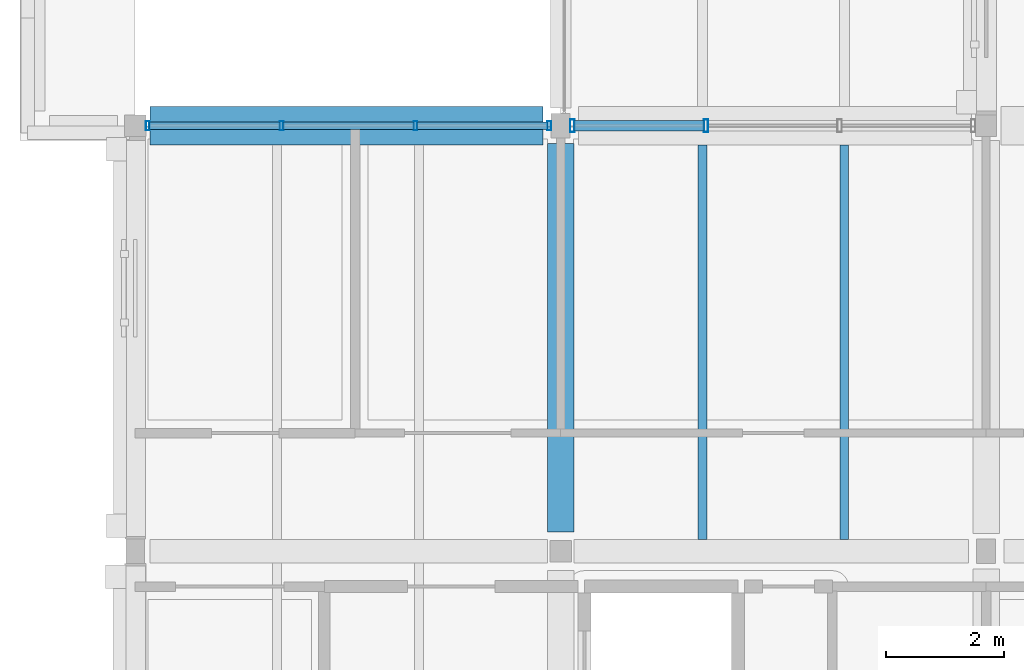
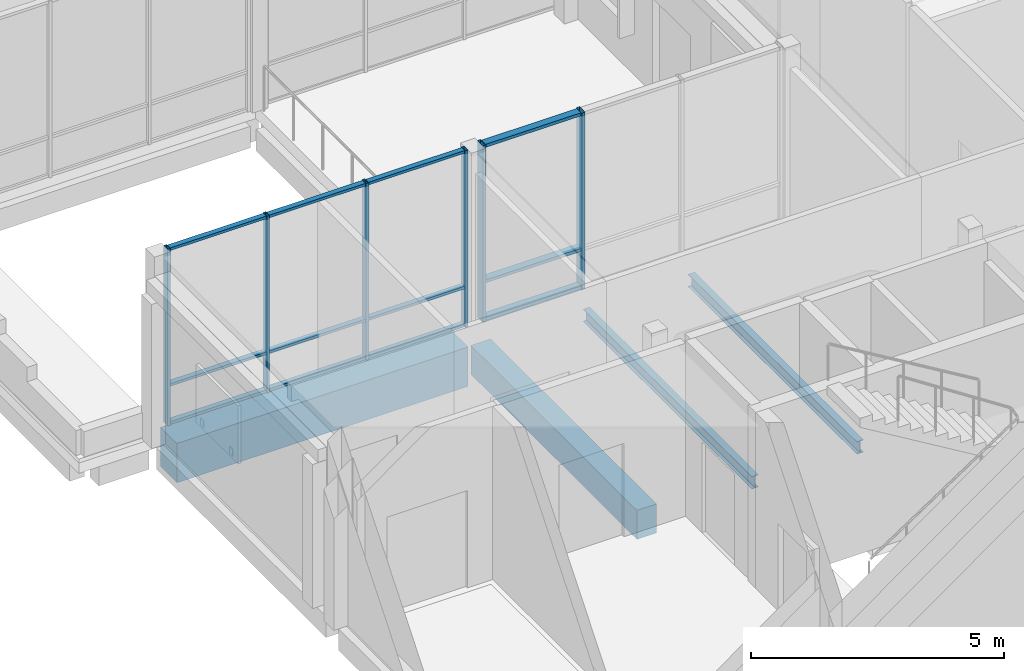
# One storey, part 16 of 146: 18 members, 4 beams, 2 elements without a shape of their own.
"""IFC4 building model written with IfcOpenShell, lengths in metres."""

from ifc_helpers import new_model, si_unit, direction, frame, origin, origin_2d, place, context, subcontext, project, spatial, rectangle, hollow_rectangle, i_section, extrude, material, material_profile, profile_set, type_object, element, aggregate, save


model = new_model("IFC4")

# Units and contexts
model_context = context("Model", 3, precision=1e-05, world=origin(), true_north=direction((0.0, 1.0)))
body_context = subcontext(model_context, "Body", "Model", "MODEL_VIEW")
ifc_project = project(units=[si_unit("LENGTHUNIT", "METRE"), si_unit("AREAUNIT", "SQUARE_METRE"), si_unit("VOLUMEUNIT", "CUBIC_METRE"), si_unit("PLANEANGLEUNIT", "RADIAN"), si_unit("MASSUNIT", "GRAM", prefix="KILO")], contexts=[model_context])

# Site, building, storey
site_placement = place(None, origin())
site = spatial("IfcSite", under=ifc_project, at=site_placement, CompositionType="ELEMENT")
building_placement = place(site_placement, origin())
building = spatial("IfcBuilding", under=site, at=building_placement, Name="Hawrajan Terrace Health Centre", CompositionType="ELEMENT")
storey_placement = place(building_placement, frame((0.0, 0.0, 4.5)))
storey = spatial("IfcBuildingStorey", under=building, at=storey_placement, Name="L01", CompositionType="ELEMENT", Elevation=4.5)

# Curtain wall, members
ifc_material_1 = material(Name="Anodized bronze aluminium and low-E solar glazing", Category="aluminium")
curtain_wall_type_1 = type_object("IfcCurtainWallType", Name="CW_Court_SeriesA3", PredefinedType="USERDEFINED", material=ifc_material_1)
curtain_wall_1_placement = place(storey_placement, origin())
curtain_wall_1 = element("IfcCurtainWall", 1, at=curtain_wall_1_placement, inside=storey, type_object=curtain_wall_type_1, Name="Curtain wall CW-L01-051", ObjectType="UNITISED CURTAIN WALL", PredefinedType="USERDEFINED")
ifc_material_2 = material(Name="Anodized bronze aluminium 6063-T6", Category="aluminium")
ifc_material_profile_1 = material_profile(ifc_material_2, hollow_rectangle(XDim=0.06494140625, YDim=0.159912109375, WallThickness=0.00390625, at=origin_2d()), Name="CW MUL 65x160")
ifc_profile_set_1 = profile_set([ifc_material_profile_1], Name="Anodized bronze aluminium 6063-T6")
member_type_1 = type_object("IfcMemberType", Name="CWMullion_65x160", PredefinedType="MULLION", material=ifc_profile_set_1)
member_1_placement = place(storey_placement, frame((4.8125, 18.60009765625, -0.0048828125), z_axis=(0.0, 0.0, 1.0), x_axis=(1.0, 0.0, 0.0)))
member_1 = element("IfcMember", 2, at=member_1_placement, type_object=member_type_1, Name="Mullion CW-L01-051-M1", PredefinedType="MULLION", context=body_context, shape_type="SweptSolid", body=[
    extrude(hollow_rectangle(XDim=0.06494140625, YDim=0.159912109375, WallThickness=0.00390625, at=origin_2d()), origin(), (0.0, 0.0, 1.0), 4.269775390625),
])
member_2_placement = place(storey_placement, frame((7.077392578125, 18.60009765625, -0.0048828125), z_axis=(0.0, 0.0, 1.0), x_axis=(1.0, 0.0, 0.0)))
member_2 = element("IfcMember", 3, at=member_2_placement, type_object=member_type_1, Name="Mullion CW-L01-051-M2", PredefinedType="MULLION", context=body_context, shape_type="SweptSolid", body=[
    extrude(hollow_rectangle(XDim=0.06494140625, YDim=0.159912109375, WallThickness=0.00390625, at=origin_2d()), origin(), (0.0, 0.0, 1.0), 4.269775390625),
])
member_3_placement = place(storey_placement, frame((9.342529296875, 18.60009765625, -0.0048828125), z_axis=(0.0, 0.0, 1.0), x_axis=(1.0, 0.0, 0.0)))
member_3 = element("IfcMember", 4, at=member_3_placement, type_object=member_type_1, Name="Mullion CW-L01-051-M3", PredefinedType="MULLION", context=body_context, shape_type="SweptSolid", body=[
    extrude(hollow_rectangle(XDim=0.06494140625, YDim=0.159912109375, WallThickness=0.00390625, at=origin_2d()), origin(), (0.0, 0.0, 1.0), 4.269775390625),
])
member_4_placement = place(storey_placement, frame((11.607421875, 18.60009765625, -0.0048828125), z_axis=(0.0, 0.0, 1.0), x_axis=(1.0, 0.0, 0.0)))
member_4 = element("IfcMember", 5, at=member_4_placement, type_object=member_type_1, Name="Mullion CW-L01-051-M4", PredefinedType="MULLION", context=body_context, shape_type="SweptSolid", body=[
    extrude(hollow_rectangle(XDim=0.06494140625, YDim=0.159912109375, WallThickness=0.00390625, at=origin_2d()), origin(), (0.0, 0.0, 1.0), 4.269775390625),
])

curtain_wall_type_2 = type_object("IfcCurtainWallType", Name="CW_Court_SeriesB2", PredefinedType="USERDEFINED", material=ifc_material_1)
curtain_wall_2_placement = place(storey_placement, origin())
curtain_wall_2 = element("IfcCurtainWall", 6, at=curtain_wall_2_placement, inside=storey, type_object=curtain_wall_type_2, Name="Curtain wall CW-L01-053", ObjectType="UNITISED CURTAIN WALL", PredefinedType="USERDEFINED")
ifc_material_profile_2 = material_profile(ifc_material_2, hollow_rectangle(XDim=0.074951171875, YDim=0.219970703125, WallThickness=0.0048828125, at=origin_2d()), Name="CW MUL 75x220")
ifc_profile_set_2 = profile_set([ifc_material_profile_2], Name="Anodized bronze aluminium 6063-T6")
member_type_2 = type_object("IfcMemberType", Name="CWMullion_75x220", PredefinedType="MULLION", material=ifc_profile_set_2)
member_5_placement = place(storey_placement, frame((11.99755859375, 18.60009765625, -0.0048828125), z_axis=(0.0, 0.0, 1.0), x_axis=(1.0, 0.0, 0.0)))
member_5 = element("IfcMember", 7, at=member_5_placement, type_object=member_type_2, Name="Mullion CW-L01-053-M1", PredefinedType="MULLION", context=body_context, shape_type="SweptSolid", body=[
    extrude(hollow_rectangle(XDim=0.074951171875, YDim=0.219970703125, WallThickness=0.0048828125, at=origin_2d()), origin(), (0.0, 0.0, 1.0), 4.269775390625),
])
member_6_placement = place(storey_placement, frame((14.25927734375, 18.60009765625, -0.0048828125), z_axis=(0.0, 0.0, 1.0), x_axis=(1.0, 0.0, 0.0)))
member_6 = element("IfcMember", 8, at=member_6_placement, type_object=member_type_2, Name="Mullion CW-L01-053-M2", PredefinedType="MULLION", context=body_context, shape_type="SweptSolid", body=[
    extrude(hollow_rectangle(XDim=0.074951171875, YDim=0.219970703125, WallThickness=0.0048828125, at=origin_2d()), origin(), (0.0, 0.0, 1.0), 4.269775390625),
])

# Member
ifc_material_profile_3 = material_profile(ifc_material_2, hollow_rectangle(XDim=0.06494140625, YDim=0.1201171875, WallThickness=0.00341796875, at=origin_2d()), Name="CW TRN 65x120")
ifc_profile_set_3 = profile_set([ifc_material_profile_3], Name="Anodized bronze aluminium 6063-T6")
member_type_3 = type_object("IfcMemberType", Name="CWTransom_65x120", PredefinedType="USERDEFINED", material=ifc_profile_set_3)
member_7_placement = place(storey_placement, frame((4.839111328125, 18.60009765625, 0.032470703125), z_axis=(1.0, 0.0, 0.0), x_axis=(0.0, 0.0, 1.0)))
member_7 = element("IfcMember", 9, at=member_7_placement, type_object=member_type_3, Name="Transom CW-L01-051-T1-1", ObjectType="TRANSOM", PredefinedType="USERDEFINED", context=body_context, shape_type="SweptSolid", body=[
    extrude(hollow_rectangle(XDim=0.06494140625, YDim=0.1201171875, WallThickness=0.00341796875, at=origin_2d()), origin(), (0.0, 0.0, 1.0), 2.2119140625),
])

member_8_placement = place(storey_placement, frame((4.839111328125, 18.60009765625, 0.949951171875), z_axis=(1.0, 0.0, 0.0), x_axis=(0.0, 0.0, 1.0)))
member_8 = element("IfcMember", 10, at=member_8_placement, type_object=member_type_3, Name="Transom CW-L01-051-T1-2", ObjectType="TRANSOM", PredefinedType="USERDEFINED", context=body_context, shape_type="SweptSolid", body=[
    extrude(hollow_rectangle(XDim=0.06494140625, YDim=0.1201171875, WallThickness=0.00341796875, at=origin_2d()), origin(), (0.0, 0.0, 1.0), 2.2119140625),
])

member_9_placement = place(storey_placement, frame((4.839111328125, 18.60009765625, 4.2275390625), z_axis=(1.0, 0.0, 0.0), x_axis=(0.0, 0.0, 1.0)))
member_9 = element("IfcMember", 11, at=member_9_placement, type_object=member_type_3, Name="Transom CW-L01-051-T1-3", ObjectType="TRANSOM", PredefinedType="USERDEFINED", context=body_context, shape_type="SweptSolid", body=[
    extrude(hollow_rectangle(XDim=0.06494140625, YDim=0.1201171875, WallThickness=0.00341796875, at=origin_2d()), origin(), (0.0, 0.0, 1.0), 2.2119140625),
])

member_10_placement = place(storey_placement, frame((7.10400390625, 18.60009765625, 0.032470703125), z_axis=(1.0, 0.0, 0.0), x_axis=(0.0, 0.0, 1.0)))
member_10 = element("IfcMember", 12, at=member_10_placement, type_object=member_type_3, Name="Transom CW-L01-051-T2-1", ObjectType="TRANSOM", PredefinedType="USERDEFINED", context=body_context, shape_type="SweptSolid", body=[
    extrude(hollow_rectangle(XDim=0.06494140625, YDim=0.1201171875, WallThickness=0.00341796875, at=origin_2d()), origin(), (0.0, 0.0, 1.0), 2.2119140625),
])

member_11_placement = place(storey_placement, frame((7.10400390625, 18.60009765625, 0.949951171875), z_axis=(1.0, 0.0, 0.0), x_axis=(0.0, 0.0, 1.0)))
member_11 = element("IfcMember", 13, at=member_11_placement, type_object=member_type_3, Name="Transom CW-L01-051-T2-2", ObjectType="TRANSOM", PredefinedType="USERDEFINED", context=body_context, shape_type="SweptSolid", body=[
    extrude(hollow_rectangle(XDim=0.06494140625, YDim=0.1201171875, WallThickness=0.00341796875, at=origin_2d()), origin(), (0.0, 0.0, 1.0), 2.2119140625),
])

member_12_placement = place(storey_placement, frame((7.10400390625, 18.60009765625, 4.2275390625), z_axis=(1.0, 0.0, 0.0), x_axis=(0.0, 0.0, 1.0)))
member_12 = element("IfcMember", 14, at=member_12_placement, type_object=member_type_3, Name="Transom CW-L01-051-T2-3", ObjectType="TRANSOM", PredefinedType="USERDEFINED", context=body_context, shape_type="SweptSolid", body=[
    extrude(hollow_rectangle(XDim=0.06494140625, YDim=0.1201171875, WallThickness=0.00341796875, at=origin_2d()), origin(), (0.0, 0.0, 1.0), 2.2119140625),
])

member_13_placement = place(storey_placement, frame((9.368896484375, 18.60009765625, 0.032470703125), z_axis=(1.0, 0.0, 0.0), x_axis=(0.0, 0.0, 1.0)))
member_13 = element("IfcMember", 15, at=member_13_placement, type_object=member_type_3, Name="Transom CW-L01-051-T3-1", ObjectType="TRANSOM", PredefinedType="USERDEFINED", context=body_context, shape_type="SweptSolid", body=[
    extrude(hollow_rectangle(XDim=0.06494140625, YDim=0.1201171875, WallThickness=0.00341796875, at=origin_2d()), origin(), (0.0, 0.0, 1.0), 2.212158203125),
])

member_14_placement = place(storey_placement, frame((9.368896484375, 18.60009765625, 0.949951171875), z_axis=(1.0, 0.0, 0.0), x_axis=(0.0, 0.0, 1.0)))
member_14 = element("IfcMember", 16, at=member_14_placement, type_object=member_type_3, Name="Transom CW-L01-051-T3-2", ObjectType="TRANSOM", PredefinedType="USERDEFINED", context=body_context, shape_type="SweptSolid", body=[
    extrude(hollow_rectangle(XDim=0.06494140625, YDim=0.1201171875, WallThickness=0.00341796875, at=origin_2d()), origin(), (0.0, 0.0, 1.0), 2.212158203125),
])

member_15_placement = place(storey_placement, frame((9.368896484375, 18.60009765625, 4.2275390625), z_axis=(1.0, 0.0, 0.0), x_axis=(0.0, 0.0, 1.0)))
member_15 = element("IfcMember", 17, at=member_15_placement, type_object=member_type_3, Name="Transom CW-L01-051-T3-3", ObjectType="TRANSOM", PredefinedType="USERDEFINED", context=body_context, shape_type="SweptSolid", body=[
    extrude(hollow_rectangle(XDim=0.06494140625, YDim=0.1201171875, WallThickness=0.00341796875, at=origin_2d()), origin(), (0.0, 0.0, 1.0), 2.212158203125),
])

aggregate(curtain_wall_1, [member_1, member_2, member_3, member_4, member_7, member_8, member_9, member_10, member_11, member_12, member_13, member_14, member_15])

ifc_material_profile_4 = material_profile(ifc_material_2, hollow_rectangle(XDim=0.074951171875, YDim=0.169921875, WallThickness=0.00439453125, at=origin_2d()), Name="CW TRN 75x170")
ifc_profile_set_4 = profile_set([ifc_material_profile_4], Name="Anodized bronze aluminium 6063-T6")
member_type_4 = type_object("IfcMemberType", Name="CWTransom_75x170", PredefinedType="USERDEFINED", material=ifc_profile_set_4)
member_16_placement = place(storey_placement, frame((12.029052734375, 18.60009765625, 0.03759765625), z_axis=(1.0, 0.0, 0.0), x_axis=(0.0, 0.0, 1.0)))
member_16 = element("IfcMember", 18, at=member_16_placement, type_object=member_type_4, Name="Transom CW-L01-053-T1-1", ObjectType="TRANSOM", PredefinedType="USERDEFINED", context=body_context, shape_type="SweptSolid", body=[
    extrude(hollow_rectangle(XDim=0.074951171875, YDim=0.169921875, WallThickness=0.00439453125, at=origin_2d()), origin(), (0.0, 0.0, 1.0), 2.19873046875),
])

member_17_placement = place(storey_placement, frame((12.029052734375, 18.60009765625, 0.949951171875), z_axis=(1.0, 0.0, 0.0), x_axis=(0.0, 0.0, 1.0)))
member_17 = element("IfcMember", 19, at=member_17_placement, type_object=member_type_4, Name="Transom CW-L01-053-T1-2", ObjectType="TRANSOM", PredefinedType="USERDEFINED", context=body_context, shape_type="SweptSolid", body=[
    extrude(hollow_rectangle(XDim=0.074951171875, YDim=0.169921875, WallThickness=0.00439453125, at=origin_2d()), origin(), (0.0, 0.0, 1.0), 2.19873046875),
])

member_18_placement = place(storey_placement, frame((12.029052734375, 18.60009765625, 4.222412109375), z_axis=(1.0, 0.0, 0.0), x_axis=(0.0, 0.0, 1.0)))
member_18 = element("IfcMember", 20, at=member_18_placement, type_object=member_type_4, Name="Transom CW-L01-053-T1-3", ObjectType="TRANSOM", PredefinedType="USERDEFINED", context=body_context, shape_type="SweptSolid", body=[
    extrude(hollow_rectangle(XDim=0.074951171875, YDim=0.169921875, WallThickness=0.00439453125, at=origin_2d()), origin(), (0.0, 0.0, 1.0), 2.19873046875),
])

aggregate(curtain_wall_2, [member_5, member_6, member_16, member_17, member_18])

# Beams
ifc_material_3 = material(Name="Concrete C40/50", Category="concrete")
ifc_material_profile_5 = material_profile(ifc_material_3, rectangle(XDim=0.449951171875, YDim=0.699951171875, at=origin_2d()), Name="RC BM 450x700")
ifc_profile_set_5 = profile_set([ifc_material_profile_5], Name="Concrete C40/50")
beam_type_1 = type_object("IfcBeamType", Name="RCGirder_450x700", PredefinedType="BEAM", material=ifc_profile_set_5)
beam_1_placement = place(storey_placement, frame((11.800048828125, 11.72509765625, -0.64990234375), z_axis=(0.0, 1.0, 0.0), x_axis=(-1.0, 0.0, 0.0)))
element("IfcBeam", 21, at=beam_1_placement, inside=storey, type_object=beam_type_1, Name="Beam BM-Y-L01-W-X02-2", PredefinedType="BEAM", context=body_context, shape_type="SweptSolid", body=[
    extrude(rectangle(XDim=0.449951171875, YDim=0.699951171875, at=origin_2d()), origin(), (0.0, 0.0, 1.0), 6.574951171875),
])
ifc_material_profile_6 = material_profile(ifc_material_3, rectangle(XDim=0.64990234375, YDim=0.949951171875, at=origin_2d()), Name="RC TG 650x950")
ifc_profile_set_6 = profile_set([ifc_material_profile_6], Name="Concrete C40/50")
beam_type_2 = type_object("IfcBeamType", Name="RCTransferGirder_650x950", PredefinedType="BEAM", material=ifc_profile_set_6)
beam_2_placement = place(storey_placement, frame((4.85009765625, 18.60009765625, -0.77490234375), z_axis=(1.0, 0.0, 0.0), x_axis=(0.0, 1.0, 0.0)))
element("IfcBeam", 22, at=beam_2_placement, inside=storey, type_object=beam_type_2, Name="Beam BM-X-L01-W-01-Y3", PredefinedType="BEAM", context=body_context, shape_type="SweptSolid", body=[
    extrude(rectangle(XDim=0.64990234375, YDim=0.949951171875, at=origin_2d()), origin(), (0.0, 0.0, 1.0), 6.64990234375),
])
ifc_material_4 = material(Name="Steel S355", Category="steel")
ifc_material_profile_7 = material_profile(ifc_material_4, i_section(OverallWidth=0.14990234375, OverallDepth=0.300048828125, WebThickness=0.007080078125, FlangeThickness=0.0107421875, FilletRadius=0.014892578125, at=origin_2d()), Name="IPE 300")
ifc_profile_set_7 = profile_set([ifc_material_profile_7], Name="Steel S355")
beam_type_3 = type_object("IfcBeamType", Name="SteelBeam_IPE300", PredefinedType="JOIST", material=ifc_profile_set_7)
for number, where, z_axis, x_axis, name in (
    (23, (14.199951171875, 11.60009765625, -0.449951171875), (0.0, 1.0, 0.0), (-1.0, 0.0, 0.0), "Secondary joist JST-L01-W-02-2-1"),
    (24, (16.60009765625, 11.60009765625, -0.449951171875), (0.0, 1.0, 0.0), (-1.0, 0.0, 0.0), "Secondary joist JST-L01-W-02-2-2"),
):
    element("IfcBeam", number, at=place(storey_placement, frame(where, z_axis=z_axis, x_axis=x_axis)), inside=storey, type_object=beam_type_3, Name=name, PredefinedType="JOIST", context=body_context, shape_type="SweptSolid", body=[
        extrude(i_section(OverallWidth=0.14990234375, OverallDepth=0.300048828125, WebThickness=0.007080078125, FlangeThickness=0.0107421875, FilletRadius=0.014892578125, at=origin_2d()), origin(), (0.0, 0.0, 1.0), 6.6748046875),
    ])

save(model, "model.ifc")
